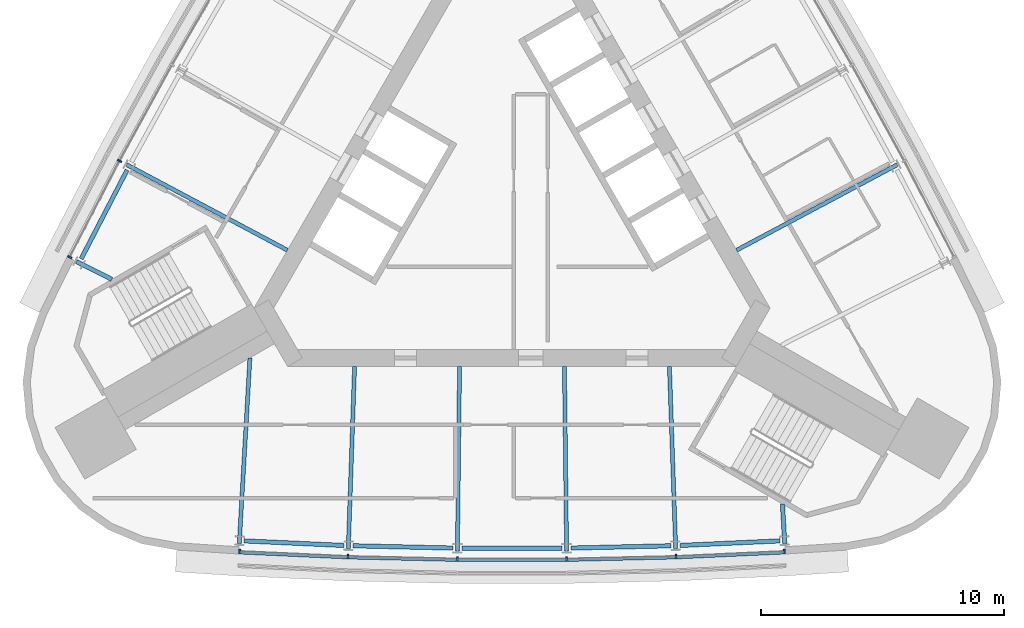
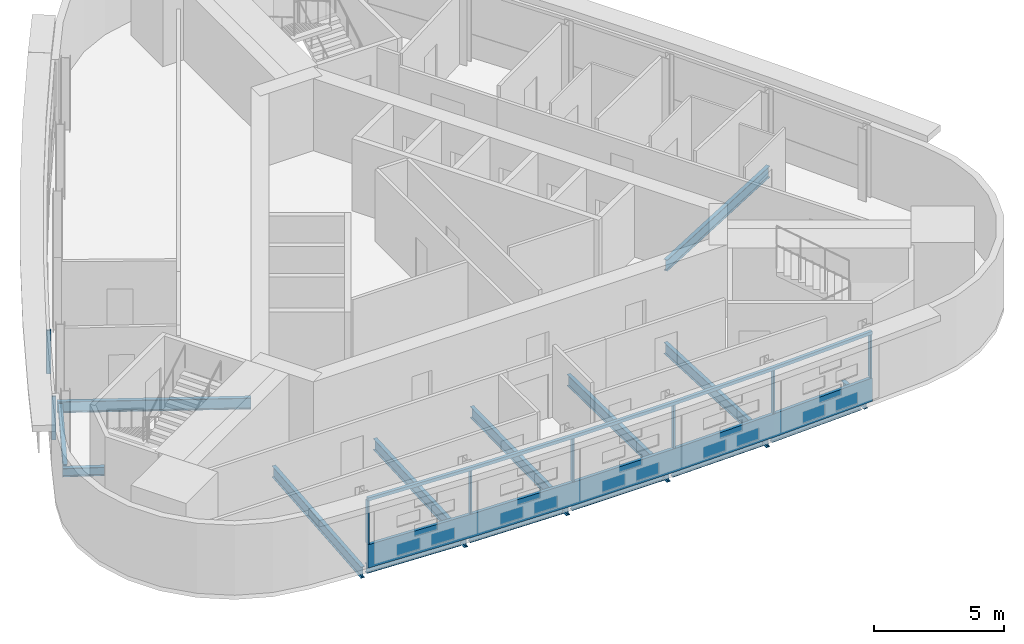
# One storey, part 2 of 10: 15 beams, 10 members, 2 elements without a shape of their own.
"""IFC4 building model written with IfcOpenShell, lengths in metres."""

from ifc_helpers import new_model, si_unit, direction, frame, origin, origin_2d, place, context, subcontext, project, spatial, polyline, rectangle, i_section, outline, extrude, material, material_profile, profile_set, type_object, element, aggregate, save


model = new_model("IFC4")

# Units and contexts
model_context = context("Model", 3, precision=1e-05, world=origin(), true_north=direction((0.0, 1.0)))
body_context = subcontext(model_context, "Body", "Model", "MODEL_VIEW")
ifc_project = project(units=[si_unit("LENGTHUNIT", "METRE"), si_unit("AREAUNIT", "SQUARE_METRE"), si_unit("VOLUMEUNIT", "CUBIC_METRE"), si_unit("PLANEANGLEUNIT", "RADIAN"), si_unit("MASSUNIT", "GRAM", prefix="KILO")], contexts=[model_context])

# Site, building, storey
site_placement = place(None, origin())
site = spatial("IfcSite", under=ifc_project, at=site_placement, CompositionType="ELEMENT")
building_placement = place(site_placement, origin())
building = spatial("IfcBuilding", under=site, at=building_placement, Name="Noor Cloister Tower", CompositionType="ELEMENT")
storey_placement = place(building_placement, frame((0.0, 0.0, 243.60009765625)))
storey = spatial("IfcBuildingStorey", under=building, at=storey_placement, Name="L63", CompositionType="ELEMENT", Elevation=243.60009765625)

# Curtain wall, member
ifc_material_1 = material(Name="Aluminium 6063-T6 anodised", Category="aluminium")
curtain_wall_type = type_object("IfcCurtainWallType", Name="Ribbon curtain wall, upper tower CW5", PredefinedType="NOTDEFINED", material=ifc_material_1)
curtain_wall_1_placement = place(storey_placement, origin())
curtain_wall_1 = element("IfcCurtainWall", 1, at=curtain_wall_1_placement, inside=storey, type_object=curtain_wall_type, Name="CW5 L63 S run 2", PredefinedType="NOTDEFINED")
ifc_material_2 = material(Name="Aluminium 6063-T6 anodised", Category="aluminium")
member_type_1 = type_object("IfcMemberType", Name="Head transom CW5 150", PredefinedType="USERDEFINED", material=ifc_material_2)
member_1_placement = place(storey_placement, frame((0.0, 0.0, 3.14990234375)))
member_1 = element("IfcMember", 2, at=member_1_placement, type_object=member_type_1, Name="CW5 head transom", ObjectType="TRANSOM", PredefinedType="USERDEFINED", context=body_context, shape_type="SweptSolid", body=[
    extrude(outline(polyline([(-11.243896484375, -14.640625), (-6.748779296875, -14.846923828125), (-2.25, -14.949951171875), (2.25, -14.949951171875), (6.748779296875, -14.846923828125), (11.243896484375, -14.640625), (11.2373046875, -14.500732421875), (6.743896484375, -14.706787109375), (2.248291015625, -14.81005859375), (-2.248291015625, -14.81005859375), (-6.743896484375, -14.706787109375), (-11.2373046875, -14.500732421875), (-11.243896484375, -14.640625)])), origin(), (0.0, 0.0, 1.0), 0.14990234375),
])

# Curtain wall, members
curtain_wall_2_placement = place(storey_placement, origin())
curtain_wall_2 = element("IfcCurtainWall", 3, at=curtain_wall_2_placement, inside=storey, type_object=curtain_wall_type, Name="CW5 L63 NW run 1", PredefinedType="NOTDEFINED")
ifc_material_3 = material(Name="Aluminium 6063-T6 anodised", Category="aluminium")
ifc_material_profile_1 = material_profile(ifc_material_3, rectangle(XDim=0.179931640625, YDim=0.070068359375, at=origin_2d()), Name="180 x 70 mullion")
ifc_profile_set_1 = profile_set([ifc_material_profile_1], Name="Aluminium 6063-T6 anodised")
member_type_2 = type_object("IfcMemberType", Name="Mullion CW5 70 x 180", PredefinedType="MULLION", material=ifc_profile_set_1)
member_2_placement = place(storey_placement, frame((-16.143798828125, 1.531982421875, 1.099853515625), z_axis=(0.0, 0.0, 1.0), x_axis=(0.882705052663, -0.469927430572, 0.0)))
member_2 = element("IfcMember", 4, at=member_2_placement, type_object=member_type_2, Name="CW5 mullion 5", PredefinedType="MULLION", context=body_context, shape_type="SweptSolid", body=[
    extrude(rectangle(XDim=0.179931640625, YDim=0.070068359375, at=origin_2d()), origin(), (0.0, 0.0, 1.0), 2.050048828125),
])
member_3_placement = place(storey_placement, frame((-18.196044921875, -2.43212890625, 1.099853515625), z_axis=(0.0, 0.0, 1.0), x_axis=(0.888033907993, -0.459777966255, 0.0)))
member_3 = element("IfcMember", 5, at=member_3_placement, type_object=member_type_2, Name="CW5 mullion 6", PredefinedType="MULLION", context=body_context, shape_type="SweptSolid", body=[
    extrude(rectangle(XDim=0.179931640625, YDim=0.070068359375, at=origin_2d()), origin(), (0.0, 0.0, 1.0), 2.050048828125),
])
aggregate(curtain_wall_2, [member_2, member_3])

# Member
member_4_placement = place(storey_placement, frame((-11.204345703125, -14.542236328125, 1.099853515625), z_axis=(0.0, 0.0, 1.0), x_axis=(0.045837555119, 0.998948906872, 0.0)))
member_4 = element("IfcMember", 6, at=member_4_placement, type_object=member_type_2, Name="CW5 mullion 1", PredefinedType="MULLION", context=body_context, shape_type="SweptSolid", body=[
    extrude(rectangle(XDim=0.179931640625, YDim=0.070068359375, at=origin_2d()), origin(), (0.0, 0.0, 1.0), 2.050048828125),
])

member_5_placement = place(storey_placement, frame((-6.7451171875, -14.746826171875, 1.099853515625), z_axis=(0.0, 0.0, 1.0), x_axis=(0.034383433521, 0.999408714941, 0.0)))
member_5 = element("IfcMember", 7, at=member_5_placement, type_object=member_type_2, Name="CW5 mullion 2", PredefinedType="MULLION", context=body_context, shape_type="SweptSolid", body=[
    extrude(rectangle(XDim=0.179931640625, YDim=0.070068359375, at=origin_2d()), origin(), (0.0, 0.0, 1.0), 2.050048828125),
])

member_6_placement = place(storey_placement, frame((-2.248779296875, -14.85009765625, 1.099853515625), z_axis=(0.0, 0.0, 1.0), x_axis=(0.011463158728, 0.999934295837, 0.0)))
member_6 = element("IfcMember", 8, at=member_6_placement, type_object=member_type_2, Name="CW5 mullion 3", PredefinedType="MULLION", context=body_context, shape_type="SweptSolid", body=[
    extrude(rectangle(XDim=0.179931640625, YDim=0.070068359375, at=origin_2d()), origin(), (0.0, 0.0, 1.0), 2.050048828125),
])

member_7_placement = place(storey_placement, frame((2.248779296875, -14.85009765625, 1.099853515625), z_axis=(0.0, 0.0, 1.0), x_axis=(-0.011463158728, 0.999934295837, 0.0)))
member_7 = element("IfcMember", 9, at=member_7_placement, type_object=member_type_2, Name="CW5 mullion 4", PredefinedType="MULLION", context=body_context, shape_type="SweptSolid", body=[
    extrude(rectangle(XDim=0.179931640625, YDim=0.070068359375, at=origin_2d()), origin(), (0.0, 0.0, 1.0), 2.050048828125),
])

member_8_placement = place(storey_placement, frame((6.7451171875, -14.746826171875, 1.099853515625), z_axis=(0.0, 0.0, 1.0), x_axis=(-0.034383433521, 0.999408714941, 0.0)))
member_8 = element("IfcMember", 10, at=member_8_placement, type_object=member_type_2, Name="CW5 mullion 5", PredefinedType="MULLION", context=body_context, shape_type="SweptSolid", body=[
    extrude(rectangle(XDim=0.179931640625, YDim=0.070068359375, at=origin_2d()), origin(), (0.0, 0.0, 1.0), 2.050048828125),
])

member_9_placement = place(storey_placement, frame((11.204345703125, -14.542236328125, 1.099853515625), z_axis=(0.0, 0.0, 1.0), x_axis=(-0.045837555119, 0.998948906872, 0.0)))
member_9 = element("IfcMember", 11, at=member_9_placement, type_object=member_type_2, Name="CW5 mullion 6", PredefinedType="MULLION", context=body_context, shape_type="SweptSolid", body=[
    extrude(rectangle(XDim=0.179931640625, YDim=0.070068359375, at=origin_2d()), origin(), (0.0, 0.0, 1.0), 2.050048828125),
])

# Beams
ifc_material_4 = material(Name="Steel ASTM A992 Gr 50", Category="steel")
ifc_material_profile_2 = material_profile(ifc_material_4, i_section(OverallWidth=0.177978515625, OverallDepth=0.406005859375, WebThickness=0.0078125, FlangeThickness=0.0126953125, FilletRadius=0.01025390625, at=origin_2d()), Name="W410x60")
ifc_profile_set_2 = profile_set([ifc_material_profile_2], Name="Steel ASTM A992 Gr 50")
beam_type_1 = type_object("IfcBeamType", Name="Radial beam W410x60", PredefinedType="BEAM", material=ifc_profile_set_2)
for number, where, z_axis, x_axis, name in (
    (12, (-17.913330078125, -2.6123046875, -0.403076171875), (0.893252544543, -0.449555215372, 0.0), (0.449555215372, 0.893252544543, 0.0), "Radial beam NW 06 L63"),
    (13, (11.218994140625, -14.207275390625, -0.403076171875), (-0.057225162394, 0.998361297722, 0.0), (-0.998361297722, -0.057225162394, 0.0), "Radial beam S 06 L63"),
):
    element("IfcBeam", number, at=place(storey_placement, frame(where, z_axis=z_axis, x_axis=x_axis)), inside=storey, type_object=beam_type_1, Name=name, PredefinedType="BEAM", context=body_context, shape_type="SweptSolid", body=[
        extrude(i_section(OverallWidth=0.177978515625, OverallDepth=0.406005859375, WebThickness=0.0078125, FlangeThickness=0.0126953125, FilletRadius=0.01025390625, at=origin_2d()), origin(), (0.0, 0.0, 1.0), 1.62548828125),
    ])
ifc_material_5 = material(Name="Steel ASTM A992 Gr 50", Category="steel")
ifc_material_profile_3 = material_profile(ifc_material_5, i_section(OverallWidth=0.166015625, OverallDepth=0.528076171875, WebThickness=0.009765625, FlangeThickness=0.013671875, FilletRadius=0.0126953125, at=origin_2d()), Name="W530x74")
ifc_profile_set_3 = profile_set([ifc_material_profile_3], Name="Steel ASTM A992 Gr 50")
beam_type_2 = type_object("IfcBeamType", Name="Radial beam W530x74", PredefinedType="BEAM", material=ifc_profile_set_3)
beam_1_placement = place(storey_placement, frame((-15.848876953125, 1.375, -0.464111328125), z_axis=(0.882699214966, -0.469938395855, 0.0), x_axis=(0.469938395855, 0.882699214966, 0.0)))
element("IfcBeam", 14, at=beam_1_placement, inside=storey, type_object=beam_type_2, Name="Radial beam NW 05 L63", PredefinedType="BEAM", context=body_context, shape_type="SweptSolid", body=[
    extrude(i_section(OverallWidth=0.166015625, OverallDepth=0.528076171875, WebThickness=0.009765625, FlangeThickness=0.013671875, FilletRadius=0.0126953125, at=origin_2d()), origin(), (0.0, 0.0, 1.0), 7.4892578125),
])
beam_2_placement = place(storey_placement, frame((-11.218994140625, -14.207275390625, -0.464111328125), z_axis=(0.057292483736, 0.998357436646, 0.0), x_axis=(-0.998357436646, 0.057292483736, 0.0)))
element("IfcBeam", 15, at=beam_2_placement, inside=storey, type_object=beam_type_2, Name="Radial beam S 01 L63", PredefinedType="BEAM", context=body_context, shape_type="SweptSolid", body=[
    extrude(i_section(OverallWidth=0.166015625, OverallDepth=0.528076171875, WebThickness=0.009765625, FlangeThickness=0.013671875, FilletRadius=0.0126953125, at=origin_2d()), origin(), (0.0, 0.0, 1.0), 7.64892578125),
])
beam_3_placement = place(storey_placement, frame((-6.733642578125, -14.4130859375, -0.464111328125), z_axis=(0.034358982056, 0.999409555864, 0.0), x_axis=(-0.999409555864, 0.034358982056, 0.0)))
element("IfcBeam", 16, at=beam_3_placement, inside=storey, type_object=beam_type_2, Name="Radial beam S 02 L63", PredefinedType="BEAM", context=body_context, shape_type="SweptSolid", body=[
    extrude(i_section(OverallWidth=0.166015625, OverallDepth=0.528076171875, WebThickness=0.009765625, FlangeThickness=0.013671875, FilletRadius=0.0126953125, at=origin_2d()), origin(), (0.0, 0.0, 1.0), 7.4892578125),
])
for number, where, z_axis, x_axis, name in (
    (17, (-2.244873046875, -14.51611328125, -0.464111328125), (0.011453560118, 0.999934405829, 0.0), (-0.999934405829, 0.011453560118, 0.0), "Radial beam S 03 L63"),
    (18, (2.244873046875, -14.51611328125, -0.464111328125), (-0.011453560118, 0.999934405829, 0.0), (-0.999934405829, -0.011453560118, 0.0), "Radial beam S 04 L63"),
):
    element("IfcBeam", number, at=place(storey_placement, frame(where, z_axis=z_axis, x_axis=x_axis)), inside=storey, type_object=beam_type_2, Name=name, PredefinedType="BEAM", context=body_context, shape_type="SweptSolid", body=[
        extrude(i_section(OverallWidth=0.166015625, OverallDepth=0.528076171875, WebThickness=0.009765625, FlangeThickness=0.013671875, FilletRadius=0.0126953125, at=origin_2d()), origin(), (0.0, 0.0, 1.0), 7.58837890625),
    ])
for number, where, z_axis, x_axis, name in (
    (19, (6.733642578125, -14.4130859375, -0.464111328125), (-0.034358982056, 0.999409555864, 0.0), (-0.999409555864, -0.034358982056, 0.0), "Radial beam S 05 L63"),
    (20, (15.848876953125, 1.375, -0.464111328125), (-0.882699214966, -0.469938395855, 0.0), (0.469938395855, -0.882699214966, 0.0), "Radial beam NE 02 L63"),
):
    element("IfcBeam", number, at=place(storey_placement, frame(where, z_axis=z_axis, x_axis=x_axis)), inside=storey, type_object=beam_type_2, Name=name, PredefinedType="BEAM", context=body_context, shape_type="SweptSolid", body=[
        extrude(i_section(OverallWidth=0.166015625, OverallDepth=0.528076171875, WebThickness=0.009765625, FlangeThickness=0.013671875, FilletRadius=0.0126953125, at=origin_2d()), origin(), (0.0, 0.0, 1.0), 7.4892578125),
    ])

# Member
ifc_material_6 = material(Name="Aluminium 6063-T6 anodised", Category="aluminium")
member_type_3 = type_object("IfcMemberType", Name="Sill transom CW5 1100", PredefinedType="USERDEFINED", material=ifc_material_6)
member_10_placement = place(storey_placement, origin())
member_10 = element("IfcMember", 21, at=member_10_placement, type_object=member_type_3, Name="CW5 sill transom", ObjectType="TRANSOM", PredefinedType="USERDEFINED", context=body_context, shape_type="SweptSolid", body=[
    extrude(outline(polyline([(-11.243896484375, -14.640625), (-6.748779296875, -14.846923828125), (-2.25, -14.949951171875), (2.25, -14.949951171875), (6.748779296875, -14.846923828125), (11.243896484375, -14.640625), (11.2373046875, -14.500732421875), (6.743896484375, -14.706787109375), (2.248291015625, -14.81005859375), (-2.248291015625, -14.81005859375), (-6.743896484375, -14.706787109375), (-11.2373046875, -14.500732421875), (-11.243896484375, -14.640625)])), origin(), (0.0, 0.0, 1.0), 1.099853515625),
])

aggregate(curtain_wall_1, [member_4, member_5, member_6, member_7, member_8, member_9, member_10, member_1])

# Beams
ifc_material_7 = material(Name="Steel ASTM A992 Gr 50", Category="steel")
ifc_material_profile_4 = material_profile(ifc_material_7, i_section(OverallWidth=0.177978515625, OverallDepth=0.406005859375, WebThickness=0.0078125, FlangeThickness=0.0126953125, FilletRadius=0.01025390625, at=origin_2d()), Name="W410x60")
ifc_profile_set_4 = profile_set([ifc_material_profile_4], Name="Steel ASTM A992 Gr 50")
beam_type_3 = type_object("IfcBeamType", Name="Spandrel beam W410x60", PredefinedType="SPANDREL", material=ifc_profile_set_4)
beam_4_placement = place(storey_placement, frame((-15.832275390625, 1.15478515625, -0.403076171875), z_axis=(-0.459773194778, -0.888036378401, 0.0), x_axis=(0.888036378401, -0.459773194778, 0.0)))
element("IfcBeam", 22, at=beam_4_placement, inside=storey, type_object=beam_type_3, Name="Spandrel beam NW 05 L63", PredefinedType="SPANDREL", context=body_context, shape_type="SweptSolid", body=[
    extrude(i_section(OverallWidth=0.177978515625, OverallDepth=0.406005859375, WebThickness=0.0078125, FlangeThickness=0.0126953125, FilletRadius=0.01025390625, at=origin_2d()), origin(), (0.0, 0.0, 1.0), 4.1142578125),
])
beam_5_placement = place(storey_placement, frame((-11.026123046875, -14.10009765625, -0.403076171875), z_axis=(0.998950230186, -0.045808706724, 0.0), x_axis=(0.045808706724, 0.998950230186, 0.0)))
element("IfcBeam", 23, at=beam_5_placement, inside=storey, type_object=beam_type_3, Name="Spandrel beam S 01 L63", PredefinedType="SPANDREL", context=body_context, shape_type="SweptSolid", body=[
    extrude(i_section(OverallWidth=0.177978515625, OverallDepth=0.406005859375, WebThickness=0.0078125, FlangeThickness=0.0126953125, FilletRadius=0.01025390625, at=origin_2d()), origin(), (0.0, 0.0, 1.0), 4.114501953125),
])
beam_6_placement = place(storey_placement, frame((-6.543212890625, -14.301513671875, -0.403076171875), z_axis=(0.999737621339, -0.02290607953, 0.0), x_axis=(0.02290607953, 0.999737621339, 0.0)))
element("IfcBeam", 24, at=beam_6_placement, inside=storey, type_object=beam_type_3, Name="Spandrel beam S 02 L63", PredefinedType="SPANDREL", context=body_context, shape_type="SweptSolid", body=[
    extrude(i_section(OverallWidth=0.177978515625, OverallDepth=0.406005859375, WebThickness=0.0078125, FlangeThickness=0.0126953125, FilletRadius=0.01025390625, at=origin_2d()), origin(), (0.0, 0.0, 1.0), 4.114013671875),
])
beam_7_placement = place(storey_placement, frame((-2.05712890625, -14.39990234375, -0.403076171875), z_axis=(1.0, 0.0, 0.0), x_axis=(0.0, 1.0, 0.0)))
element("IfcBeam", 25, at=beam_7_placement, inside=storey, type_object=beam_type_3, Name="Spandrel beam S 03 L63", PredefinedType="SPANDREL", context=body_context, shape_type="SweptSolid", body=[
    extrude(i_section(OverallWidth=0.177978515625, OverallDepth=0.406005859375, WebThickness=0.0078125, FlangeThickness=0.0126953125, FilletRadius=0.01025390625, at=origin_2d()), origin(), (0.0, 0.0, 1.0), 4.1142578125),
])
beam_8_placement = place(storey_placement, frame((2.43017578125, -14.395751953125, -0.403076171875), z_axis=(0.999737621339, 0.02290607953, 0.0), x_axis=(-0.02290607953, 0.999737621339, 0.0)))
element("IfcBeam", 26, at=beam_8_placement, inside=storey, type_object=beam_type_3, Name="Spandrel beam S 04 L63", PredefinedType="SPANDREL", context=body_context, shape_type="SweptSolid", body=[
    extrude(i_section(OverallWidth=0.177978515625, OverallDepth=0.406005859375, WebThickness=0.0078125, FlangeThickness=0.0126953125, FilletRadius=0.01025390625, at=origin_2d()), origin(), (0.0, 0.0, 1.0), 4.114013671875),
])
beam_9_placement = place(storey_placement, frame((6.916015625, -14.28857421875, -0.403076171875), z_axis=(0.998950230186, 0.045808706724, 0.0), x_axis=(-0.045808706724, 0.998950230186, 0.0)))
element("IfcBeam", 27, at=beam_9_placement, inside=storey, type_object=beam_type_3, Name="Spandrel beam S 05 L63", PredefinedType="SPANDREL", context=body_context, shape_type="SweptSolid", body=[
    extrude(i_section(OverallWidth=0.177978515625, OverallDepth=0.406005859375, WebThickness=0.0078125, FlangeThickness=0.0126953125, FilletRadius=0.01025390625, at=origin_2d()), origin(), (0.0, 0.0, 1.0), 4.114501953125),
])

save(model, "model.ifc")
